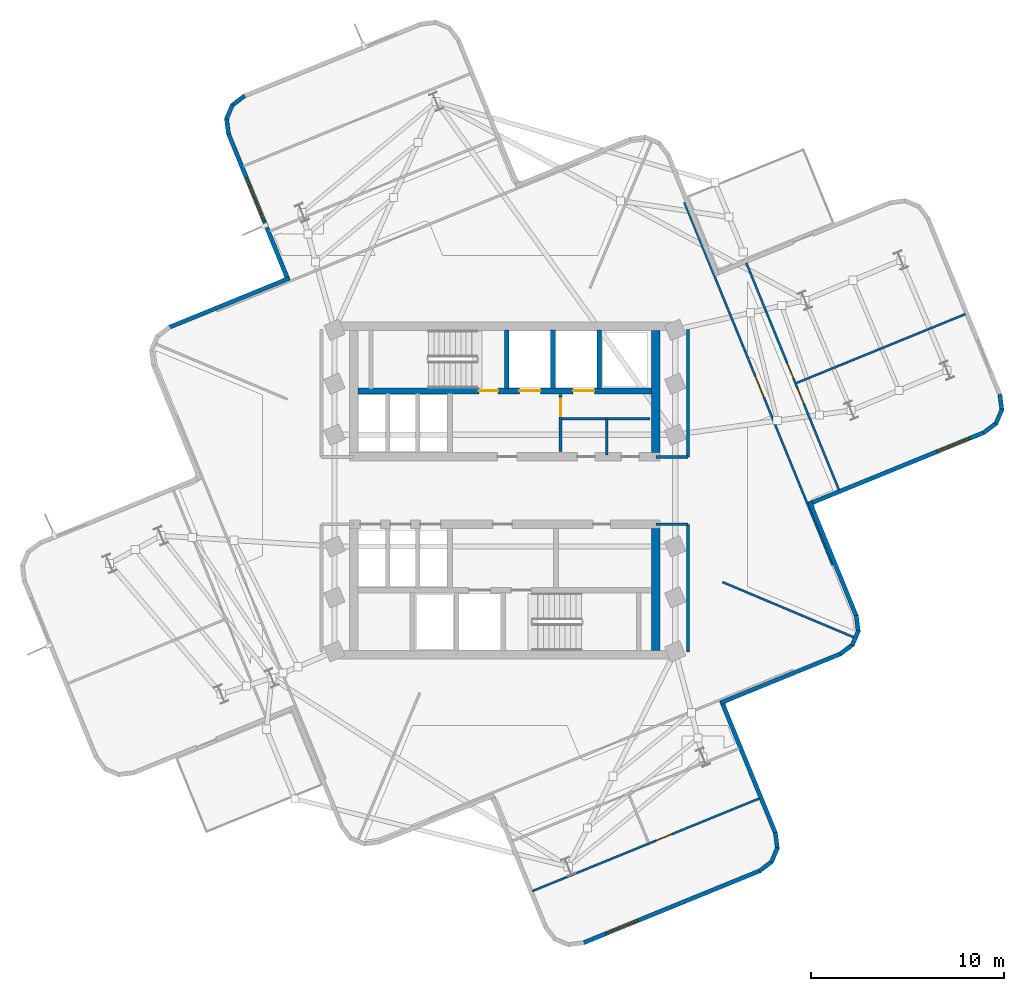
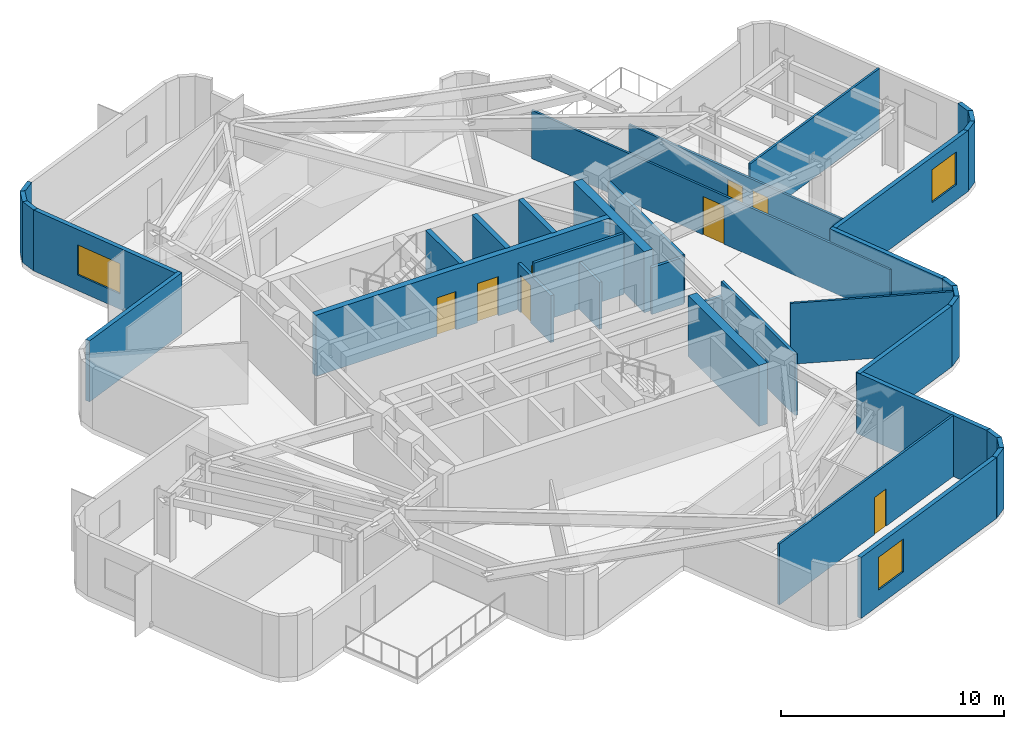
# One storey, part 4 of 8: 37 walls, 8 doors, 3 windows, 11 openings.
"""IFC4 building model written with IfcOpenShell, lengths in metres."""

from ifc_helpers import new_model, si_unit, direction, frame, frame_2d, origin, place, context, subcontext, project, spatial, rectangle, extrude, material, layer, layer_set, type_object, element, fill, save


model = new_model("IFC4")

# Units and contexts
model_context = context("Model", 3, precision=1e-05, world=origin(), true_north=direction((0.0, 1.0)))
body_context = subcontext(model_context, "Body", "Model", "MODEL_VIEW")
ifc_project = project(units=[si_unit("LENGTHUNIT", "METRE"), si_unit("AREAUNIT", "SQUARE_METRE"), si_unit("VOLUMEUNIT", "CUBIC_METRE"), si_unit("PLANEANGLEUNIT", "RADIAN"), si_unit("MASSUNIT", "GRAM", prefix="KILO")], contexts=[model_context])

# Site, building, storey
site_placement = place(None, origin())
site = spatial("IfcSite", under=ifc_project, at=site_placement, CompositionType="ELEMENT")
building_placement = place(site_placement, origin())
building = spatial("IfcBuilding", under=site, at=building_placement, Name="Solmarez Civic Tower", CompositionType="ELEMENT")
storey_placement = place(building_placement, frame((0.0, 0.0, 173.8798828125)))
storey = spatial("IfcBuildingStorey", under=building, at=storey_placement, Name="L46", CompositionType="ELEMENT", Elevation=173.8798828125)

# Walls
ifc_material_1 = material(Name="Concrete C50/60", Category="concrete")
ifc_layer_1 = layer(ifc_material_1, 0.449951171875)
ifc_layer_set_1 = layer_set([ifc_layer_1], Name="Concrete C50/60")
wall_type_1 = type_object("IfcWallType", Name="WALL-CORE-450", PredefinedType="SHEAR", material=ifc_layer_set_1)
for number, where, z_axis, x_axis, name in (
    (1, (7.844970703125, 8.31005859375, 0.0), (0.0, 0.0, 1.0), (0.0, -1.0, 0.0), "L46 Split-Core Structural Wall NCW-E-L46"),
    (2, (7.844970703125, -1.97509765625, 0.0), (0.0, 0.0, 1.0), (0.0, -1.0, 0.0), "L46 Split-Core Structural Wall SCW-E-L46"),
):
    element("IfcWall", number, at=place(storey_placement, frame(where, z_axis=z_axis, x_axis=x_axis)), inside=storey, type_object=wall_type_1, Name=name, PredefinedType="SHEAR", context=body_context, shape_type="SweptSolid", body=[
        extrude(rectangle(XDim=6.3349609375, YDim=0.449951171875, at=frame_2d((3.16748046875, 0.0))), origin(), (0.0, 0.0, 1.0), 3.340087890625),
    ])
ifc_material_2 = material(Name="Precast concrete C40/50", Category="concrete")
ifc_layer_2 = layer(ifc_material_2, 0.219970703125)
ifc_layer_set_2 = layer_set([ifc_layer_2], Name="Precast concrete C40/50")
wall_type_2 = type_object("IfcWallType", Name="WALL-EXT-220", PredefinedType="SOLIDWALL", material=ifc_layer_set_2)
wall_1_placement = place(storey_placement, frame((-17.4560546875, 8.472900390625, 0.0), z_axis=(0.0, 0.0, 1.0), x_axis=(0.925916493636, 0.377728271133, 0.0)))
element("IfcWall", 3, at=wall_1_placement, inside=storey, type_object=wall_type_2, Name="L46 Exterior Precast Wall 17", PredefinedType="SOLIDWALL", context=body_context, shape_type="SweptSolid", body=[
    extrude(rectangle(XDim=6.7587890625, YDim=0.219970703125, at=frame_2d((3.37939453125, 0.0))), origin(), (0.0, 0.0, 1.0), 3.340087890625),
])

# Wall, opening, window
wall_2_placement = place(storey_placement, frame((-11.24609375, 10.912109375, 0.0), z_axis=(0.0, 0.0, 1.0), x_axis=(-0.37779924707, 0.92588753578, 0.0)))
wall_2 = element("IfcWall", 4, at=wall_2_placement, inside=storey, type_object=wall_type_2, Name="L46 Exterior Precast Wall 20", PredefinedType="SOLIDWALL", context=body_context, shape_type="SweptSolid", body=[
    extrude(rectangle(XDim=8.258056640625, YDim=0.219970703125, at=frame_2d((4.12890625, 0.0))), origin(), (0.0, 0.0, 1.0), 3.340087890625),
])
opening_1_placement = place(wall_2_placement, frame((3.35009765625, 0.0, 0.85009765625)))
opening_1 = element("IfcOpeningElement", 5, at=opening_1_placement, cuts=wall_2, Name="Opening W-10", PredefinedType="OPENING", context=body_context, shape_type="SweptSolid", body=[
    extrude(rectangle(XDim=2.39990234375, YDim=1.64990234375, at=frame_2d((1.199951171875, 0.824951171875))), frame((0.0, 0.119873046875, 0.0), z_axis=(0.0, -1.0, 0.0), x_axis=(1.0, 0.0, 0.0)), (0.0, 0.0, 1.0), 0.239990234375),
])
ifc_material_3 = material(Name="Solar Control Bronze-Tinted Insulating Glass", Category="glass")
window_type_1 = type_object("IfcWindowType", Name="WIN-2400X1650", PartitioningType="SINGLE_PANEL", PredefinedType="WINDOW", material=ifc_material_3)
window_1_placement = place(opening_1_placement, origin())
window_1 = element("IfcWindow", 6, at=window_1_placement, inside=storey, type_object=window_type_1, Name="L46 Exterior Facade Window 20", OverallHeight=1.64990234375, OverallWidth=2.39990234375, PartitioningType="SINGLE_PANEL", PredefinedType="WINDOW", context=body_context, shape_type="SweptSolid", body=[
    extrude(rectangle(XDim=2.39990234375, YDim=1.64990234375, at=frame_2d((1.199951171875, 0.824951171875))), frame((0.0, 0.030029296875, 0.0), z_axis=(0.0, -1.0, 0.0), x_axis=(1.0, 0.0, 0.0)), (0.0, 0.0, 1.0), 0.06005859375),
])
fill(opening_1, window_1)

# Walls
wall_3_placement = place(storey_placement, frame((-14.35400390625, 18.510009765625, 0.0), z_axis=(0.0, 0.0, 1.0), x_axis=(-0.125798873345, 0.992055766308, 0.0)))
element("IfcWall", 7, at=wall_3_placement, inside=storey, type_object=wall_type_2, Name="L46 Exterior Precast Wall 21", PredefinedType="SOLIDWALL", context=body_context, shape_type="SweptSolid", body=[
    extrude(rectangle(XDim=0.83447265625, YDim=0.219970703125, at=frame_2d((0.417236328125, 0.0))), origin(), (0.0, 0.0, 1.0), 3.340087890625),
])
wall_4_placement = place(storey_placement, frame((-14.466064453125, 19.2900390625, 0.0), z_axis=(0.0, 0.0, 1.0), x_axis=(0.388336782412, 0.92151752204, 0.0)))
element("IfcWall", 8, at=wall_4_placement, inside=storey, type_object=wall_type_2, Name="L46 Exterior Precast Wall 22", PredefinedType="SOLIDWALL", context=body_context, shape_type="SweptSolid", body=[
    extrude(rectangle(XDim=0.819091796875, YDim=0.219970703125, at=frame_2d((0.40966796875, 0.0))), origin(), (0.0, 0.0, 1.0), 3.340087890625),
])
for number, where, z_axis, x_axis, name in (
    (9, (-14.177978515625, 20.007080078125, 0.0), (0.0, 0.0, 1.0), (0.797040931846, 0.603925287566, 0.0), "L46 Exterior Precast Wall 23"),
    (10, (25.7119140625, 5.0048828125, 0.0), (0.0, 0.0, 1.0), (0.124646916858, -0.992201162123, 0.0), "L46 Exterior Precast Wall 43"),
):
    element("IfcWall", number, at=place(storey_placement, frame(where, z_axis=z_axis, x_axis=x_axis)), inside=storey, type_object=wall_type_2, Name=name, PredefinedType="SOLIDWALL", context=body_context, shape_type="SweptSolid", body=[
        extrude(rectangle(XDim=0.83447265625, YDim=0.219970703125, at=frame_2d((0.417236328125, 0.0))), origin(), (0.0, 0.0, 1.0), 3.340087890625),
    ])
wall_5_placement = place(storey_placement, frame((25.822998046875, 4.22509765625, 0.0), z_axis=(0.0, 0.0, 1.0), x_axis=(-0.387804180062, -0.921741784844, 0.0)))
element("IfcWall", 11, at=wall_5_placement, inside=storey, type_object=wall_type_2, Name="L46 Exterior Precast Wall 44", PredefinedType="SOLIDWALL", context=body_context, shape_type="SweptSolid", body=[
    extrude(rectangle(XDim=0.8203125, YDim=0.219970703125, at=frame_2d((0.41015625, 0.0))), origin(), (0.0, 0.0, 1.0), 3.340087890625),
])
wall_6_placement = place(storey_placement, frame((25.534912109375, 3.507080078125, 0.0), z_axis=(0.0, 0.0, 1.0), x_axis=(-0.796793288666, -0.604251979837, 0.0)))
element("IfcWall", 12, at=wall_6_placement, inside=storey, type_object=wall_type_2, Name="L46 Exterior Precast Wall 45", PredefinedType="SOLIDWALL", context=body_context, shape_type="SweptSolid", body=[
    extrude(rectangle(XDim=0.834228515625, YDim=0.219970703125, at=frame_2d((0.4169921875, 0.0))), origin(), (0.0, 0.0, 1.0), 3.340087890625),
])

# Wall, opening, window
wall_7_placement = place(storey_placement, frame((24.9130859375, 3.027099609375, 0.0), z_axis=(0.0, 0.0, 1.0), x_axis=(-0.925892554472, -0.37778694733, 0.0)))
wall_7 = element("IfcWall", 13, at=wall_7_placement, inside=storey, type_object=wall_type_2, Name="L46 Exterior Precast Wall 46", PredefinedType="SOLIDWALL", context=body_context, shape_type="SweptSolid", body=[
    extrude(rectangle(XDim=9.857666015625, YDim=0.219970703125, at=frame_2d((4.9287109375, 0.0))), origin(), (0.0, 0.0, 1.0), 3.340087890625),
])
opening_2_placement = place(wall_7_placement, frame((0.85009765625, 0.0, 0.85009765625)))
opening_2 = element("IfcOpeningElement", 14, at=opening_2_placement, cuts=wall_7, Name="Opening W-08", PredefinedType="OPENING", context=body_context, shape_type="SweptSolid", body=[
    extrude(rectangle(XDim=1.800048828125, YDim=1.800048828125, at=frame_2d((0.89990234375, 0.89990234375))), frame((0.0, 0.119873046875, 0.0), z_axis=(0.0, -1.0, 0.0), x_axis=(1.0, 0.0, 0.0)), (0.0, 0.0, 1.0), 0.239990234375),
])
window_type_2 = type_object("IfcWindowType", Name="WIN-1800X1800", PartitioningType="SINGLE_PANEL", PredefinedType="WINDOW", material=ifc_material_3)
window_2_placement = place(opening_2_placement, origin())
window_2 = element("IfcWindow", 15, at=window_2_placement, inside=storey, type_object=window_type_2, Name="L46 Exterior Facade Window 46", OverallHeight=1.800048828125, OverallWidth=1.800048828125, PartitioningType="SINGLE_PANEL", PredefinedType="WINDOW", context=body_context, shape_type="SweptSolid", body=[
    extrude(rectangle(XDim=1.800048828125, YDim=1.800048828125, at=frame_2d((0.89990234375, 0.89990234375))), frame((0.0, 0.030029296875, 0.0), z_axis=(0.0, -1.0, 0.0), x_axis=(1.0, 0.0, 0.0)), (0.0, 0.0, 1.0), 0.06005859375),
])
fill(opening_2, window_2)

# Walls
wall_8_placement = place(storey_placement, frame((15.833984375, -0.5830078125, 0.0), z_axis=(0.0, 0.0, 1.0), x_axis=(0.377776256629, -0.925896916469, 0.0)))
element("IfcWall", 16, at=wall_8_placement, inside=storey, type_object=wall_type_2, Name="L46 Exterior Precast Wall 49", PredefinedType="SOLIDWALL", context=body_context, shape_type="SweptSolid", body=[
    extrude(rectangle(XDim=6.43798828125, YDim=0.219970703125, at=frame_2d((3.218994140625, 0.0))), origin(), (0.0, 0.0, 1.0), 3.340087890625),
])
wall_9_placement = place(storey_placement, frame((18.25390625, -6.49609375, 0.0), z_axis=(0.0, 0.0, 1.0), x_axis=(0.124646916858, -0.992201162123, 0.0)))
element("IfcWall", 17, at=wall_9_placement, inside=storey, type_object=wall_type_2, Name="L46 Exterior Precast Wall 50", PredefinedType="SOLIDWALL", context=body_context, shape_type="SweptSolid", body=[
    extrude(rectangle(XDim=0.83447265625, YDim=0.219970703125, at=frame_2d((0.417236328125, 0.0))), origin(), (0.0, 0.0, 1.0), 3.340087890625),
])
wall_10_placement = place(storey_placement, frame((18.364990234375, -7.27587890625, 0.0), z_axis=(0.0, 0.0, 1.0), x_axis=(-0.387977068381, -0.9216690265, 0.0)))
element("IfcWall", 18, at=wall_10_placement, inside=storey, type_object=wall_type_2, Name="L46 Exterior Precast Wall 51", PredefinedType="SOLIDWALL", context=body_context, shape_type="SweptSolid", body=[
    extrude(rectangle(XDim=0.8193359375, YDim=0.219970703125, at=frame_2d((0.40966796875, 0.0))), origin(), (0.0, 0.0, 1.0), 3.340087890625),
])
wall_11_placement = place(storey_placement, frame((18.076904296875, -7.992919921875, 0.0), z_axis=(0.0, 0.0, 1.0), x_axis=(-0.796365329878, -0.604815890473, 0.0)))
element("IfcWall", 19, at=wall_11_placement, inside=storey, type_object=wall_type_2, Name="L46 Exterior Precast Wall 52", PredefinedType="SOLIDWALL", context=body_context, shape_type="SweptSolid", body=[
    extrude(rectangle(XDim=0.83349609375, YDim=0.219970703125, at=frame_2d((0.416748046875, 0.0))), origin(), (0.0, 0.0, 1.0), 3.340087890625),
])
wall_12_placement = place(storey_placement, frame((17.4560546875, -8.472900390625, 0.0), z_axis=(0.0, 0.0, 1.0), x_axis=(-0.925916493636, -0.377728271133, 0.0)))
element("IfcWall", 20, at=wall_12_placement, inside=storey, type_object=wall_type_2, Name="L46 Exterior Precast Wall 53", PredefinedType="SOLIDWALL", context=body_context, shape_type="SweptSolid", body=[
    extrude(rectangle(XDim=6.7587890625, YDim=0.219970703125, at=frame_2d((3.37939453125, 0.0))), origin(), (0.0, 0.0, 1.0), 3.340087890625),
])
wall_13_placement = place(storey_placement, frame((11.24609375, -10.912109375, 0.0), z_axis=(0.0, 0.0, 1.0), x_axis=(0.377850036169, -0.925866810166, 0.0)))
element("IfcWall", 21, at=wall_13_placement, inside=storey, type_object=wall_type_2, Name="L46 Exterior Precast Wall 56", PredefinedType="SOLIDWALL", context=body_context, shape_type="SweptSolid", body=[
    extrude(rectangle(XDim=7.457763671875, YDim=0.219970703125, at=frame_2d((3.72900390625, 0.0))), origin(), (0.0, 0.0, 1.0), 3.340087890625),
])
wall_14_placement = place(storey_placement, frame((14.052001953125, -17.76904296875, 0.0), z_axis=(0.0, 0.0, 1.0), x_axis=(0.124646916858, -0.992201162123, 0.0)))
element("IfcWall", 22, at=wall_14_placement, inside=storey, type_object=wall_type_2, Name="L46 Exterior Precast Wall 57", PredefinedType="SOLIDWALL", context=body_context, shape_type="SweptSolid", body=[
    extrude(rectangle(XDim=0.83447265625, YDim=0.219970703125, at=frame_2d((0.417236328125, 0.0))), origin(), (0.0, 0.0, 1.0), 3.340087890625),
])
wall_15_placement = place(storey_placement, frame((14.1630859375, -18.549072265625, 0.0), z_axis=(0.0, 0.0, 1.0), x_axis=(-0.388336782412, -0.92151752204, 0.0)))
element("IfcWall", 23, at=wall_15_placement, inside=storey, type_object=wall_type_2, Name="L46 Exterior Precast Wall 58", PredefinedType="SOLIDWALL", context=body_context, shape_type="SweptSolid", body=[
    extrude(rectangle(XDim=0.819091796875, YDim=0.219970703125, at=frame_2d((0.40966796875, 0.0))), origin(), (0.0, 0.0, 1.0), 3.340087890625),
])
wall_16_placement = place(storey_placement, frame((13.875, -19.26611328125, 0.0), z_axis=(0.0, 0.0, 1.0), x_axis=(-0.796613459657, -0.604489037034, 0.0)))
element("IfcWall", 24, at=wall_16_placement, inside=storey, type_object=wall_type_2, Name="L46 Exterior Precast Wall 59", PredefinedType="SOLIDWALL", context=body_context, shape_type="SweptSolid", body=[
    extrude(rectangle(XDim=0.83349609375, YDim=0.219970703125, at=frame_2d((0.416748046875, 0.0))), origin(), (0.0, 0.0, 1.0), 3.340087890625),
])

# Wall, opening, window
wall_17_placement = place(storey_placement, frame((13.25390625, -19.74609375, 0.0), z_axis=(0.0, 0.0, 1.0), x_axis=(-0.925876400685, -0.377826535137, 0.0)))
wall_17 = element("IfcWall", 25, at=wall_17_placement, inside=storey, type_object=wall_type_2, Name="L46 Exterior Precast Wall 60", PredefinedType="SOLIDWALL", context=body_context, shape_type="SweptSolid", body=[
    extrude(rectangle(XDim=9.940673828125, YDim=0.219970703125, at=frame_2d((4.97021484375, 0.0))), origin(), (0.0, 0.0, 1.0), 3.340087890625),
])
opening_3_placement = place(wall_17_placement, frame((6.85400390625, 0.0, 0.85009765625)))
opening_3 = element("IfcOpeningElement", 26, at=opening_3_placement, cuts=wall_17, Name="Opening W-08", PredefinedType="OPENING", context=body_context, shape_type="SweptSolid", body=[
    extrude(rectangle(XDim=1.800048828125, YDim=1.800048828125, at=frame_2d((0.89990234375, 0.89990234375))), frame((0.0, 0.119873046875, 0.0), z_axis=(0.0, -1.0, 0.0), x_axis=(1.0, 0.0, 0.0)), (0.0, 0.0, 1.0), 0.239990234375),
])
window_3_placement = place(opening_3_placement, origin())
window_3 = element("IfcWindow", 27, at=window_3_placement, inside=storey, type_object=window_type_2, Name="L46 Exterior Facade Window 60", OverallHeight=1.800048828125, OverallWidth=1.800048828125, PartitioningType="SINGLE_PANEL", PredefinedType="WINDOW", context=body_context, shape_type="SweptSolid", body=[
    extrude(rectangle(XDim=1.800048828125, YDim=1.800048828125, at=frame_2d((0.89990234375, 0.89990234375))), frame((0.0, 0.030029296875, 0.0), z_axis=(0.0, -1.0, 0.0), x_axis=(1.0, 0.0, 0.0)), (0.0, 0.0, 1.0), 0.06005859375),
])
fill(opening_3, window_3)

# Walls
ifc_material_4 = material(Name="Gypsum Board Acoustic Steel-Stud Partition", Category="steel")
ifc_layer_3 = layer(ifc_material_4, 0.14990234375)
ifc_layer_set_3 = layer_set([ifc_layer_3], Name="Gypsum Board Acoustic Steel-Stud Partition")
wall_type_3 = type_object("IfcWallType", Name="WALL-INT-FIRE-150", PredefinedType="PARTITIONING", material=ifc_layer_set_3)
wall_18_placement = place(storey_placement, frame((9.52001953125, 1.75, 0.0), z_axis=(0.0, 0.0, 1.0), x_axis=(0.0, 1.0, 0.0)))
element("IfcWall", 28, at=wall_18_placement, inside=storey, type_object=wall_type_3, Name="L46 Interior Partition CHW-L46-EN1", PredefinedType="PARTITIONING", context=body_context, shape_type="SweptSolid", body=[
    extrude(rectangle(XDim=6.6298828125, YDim=0.14990234375, at=frame_2d((3.31494140625, 0.0))), origin(), (0.0, 0.0, 1.0), 2.64404296875),
])
wall_19_placement = place(storey_placement, frame((7.85009765625, 1.75, 0.0), z_axis=(0.0, 0.0, 1.0), x_axis=(1.0, 0.0, 0.0)))
element("IfcWall", 29, at=wall_19_placement, inside=storey, type_object=wall_type_3, Name="L46 Interior Partition CHW-L46-EN3", PredefinedType="PARTITIONING", context=body_context, shape_type="SweptSolid", body=[
    extrude(rectangle(XDim=1.669921875, YDim=0.14990234375, at=frame_2d((0.8349609375, 0.0))), origin(), (0.0, 0.0, 1.0), 2.570068359375),
])
wall_20_placement = place(storey_placement, frame((9.52001953125, -8.3798828125, 0.0), z_axis=(0.0, 0.0, 1.0), x_axis=(0.0, 1.0, 0.0)))
element("IfcWall", 30, at=wall_20_placement, inside=storey, type_object=wall_type_3, Name="L46 Interior Partition CHW-L46-ES1", PredefinedType="PARTITIONING", context=body_context, shape_type="SweptSolid", body=[
    extrude(rectangle(XDim=6.6298828125, YDim=0.14990234375, at=frame_2d((3.31494140625, 0.0))), origin(), (0.0, 0.0, 1.0), 3.340087890625),
])
wall_21_placement = place(storey_placement, frame((7.85009765625, -1.75, 0.0), z_axis=(0.0, 0.0, 1.0), x_axis=(1.0, 0.0, 0.0)))
element("IfcWall", 31, at=wall_21_placement, inside=storey, type_object=wall_type_3, Name="L46 Interior Partition CHW-L46-ES3", PredefinedType="PARTITIONING", context=body_context, shape_type="SweptSolid", body=[
    extrude(rectangle(XDim=1.669921875, YDim=0.14990234375, at=frame_2d((0.8349609375, 0.0))), origin(), (0.0, 0.0, 1.0), 2.570068359375),
])
ifc_layer_4 = layer(ifc_material_4, 0.110107421875)
ifc_layer_set_4 = layer_set([ifc_layer_4], Name="Gypsum Board Acoustic Steel-Stud Partition")
wall_type_4 = type_object("IfcWallType", Name="WALL-INT-PART-110", PredefinedType="PARTITIONING", material=ifc_layer_set_4)
wall_22_placement = place(storey_placement, frame((11.300048828125, -4.75, 0.0), z_axis=(0.0, 0.0, 1.0), x_axis=(0.92186077199, -0.387521247245, 0.0)))
element("IfcWall", 32, at=wall_22_placement, inside=storey, type_object=wall_type_4, Name="L46 Interior Partition PT-L46-QDIV-4", PredefinedType="PARTITIONING", context=body_context, shape_type="SweptSolid", body=[
    extrude(rectangle(XDim=7.41650390625, YDim=0.110107421875, at=frame_2d((3.708251953125, 0.0))), origin(), (0.0, 0.0, 1.0), 3.340087890625),
])

# Wall, opening, door
wall_23_placement = place(storey_placement, frame((9.322998046875, 14.972900390625, 0.0), z_axis=(0.0, 0.0, 1.0), x_axis=(0.377891753295, -0.92584978414, 0.0)))
wall_23 = element("IfcWall", 33, at=wall_23_placement, inside=storey, type_object=wall_type_4, Name="L46 Interior Partition PT-L46-E-ENT", PredefinedType="PARTITIONING", context=body_context, shape_type="SweptSolid", body=[
    extrude(rectangle(XDim=20.360595703125, YDim=0.110107421875, at=frame_2d((10.18017578125, 0.0))), origin(), (0.0, 0.0, 1.0), 2.64404296875),
])
opening_4_placement = place(wall_23_placement, frame((9.740966796875, 0.0, 0.0)))
opening_4 = element("IfcOpeningElement", 34, at=opening_4_placement, cuts=wall_23, Name="Opening D-11", PredefinedType="OPENING", context=body_context, shape_type="SweptSolid", body=[
    extrude(rectangle(XDim=1.199951171875, YDim=2.10009765625, at=frame_2d((0.60009765625, 1.050048828125))), frame((0.0, 0.06494140625, 0.0), z_axis=(0.0, -1.0, 0.0), x_axis=(1.0, 0.0, 0.0)), (0.0, 0.0, 1.0), 0.130126953125),
])
ifc_material_5 = material(Name="Glazed-Vision Acoustic Chamber Door", Category="wood")
door_type_1 = type_object("IfcDoorType", Name="DOOR-INT-1200", OperationType="NOTDEFINED", PredefinedType="DOOR", material=ifc_material_5)
door_1_placement = place(opening_4_placement, origin())
door_1 = element("IfcDoor", 35, at=door_1_placement, inside=storey, type_object=door_type_1, Name="L46 Tribunal Chamber Wellness Fitness Room First East Door", OperationType="SINGLE_SWING_LEFT", OverallHeight=2.10009765625, OverallWidth=1.199951171875, PredefinedType="DOOR", context=body_context, shape_type="SweptSolid", body=[
    extrude(rectangle(XDim=1.199951171875, YDim=2.10009765625, at=frame_2d((0.60009765625, 1.050048828125))), frame((0.0, 0.02490234375, 0.0), z_axis=(0.0, -1.0, 0.0), x_axis=(1.0, 0.0, 0.0)), (0.0, 0.0, 1.0), 0.050048828125),
])
fill(opening_4, door_1)

# Wall
wall_24_placement = place(storey_placement, frame((15.15087890625, 5.589111328125, 0.0), z_axis=(0.0, 0.0, 1.0), x_axis=(0.925886825242, 0.37780098841, 0.0)))
element("IfcWall", 36, at=wall_24_placement, inside=storey, type_object=wall_type_4, Name="L46 Interior Partition PT-L46-E-TSP", PredefinedType="PARTITIONING", context=body_context, shape_type="SweptSolid", body=[
    extrude(rectangle(XDim=9.475341796875, YDim=0.110107421875, at=frame_2d((4.73779296875, 0.0))), origin(), (0.0, 0.0, 1.0), 3.340087890625),
])

# Wall, openings, doors
wall_25_placement = place(storey_placement, frame((17.35693359375, 0.02490234375, 0.0), z_axis=(0.0, 0.0, 1.0), x_axis=(-0.37779315338, 0.925890022227, 0.0)))
wall_25 = element("IfcWall", 37, at=wall_25_placement, inside=storey, type_object=wall_type_4, Name="L46 Interior Partition PT-L46-E-SCUT", PredefinedType="PARTITIONING", context=body_context, shape_type="SweptSolid", body=[
    extrude(rectangle(XDim=12.75, YDim=0.110107421875, at=frame_2d((6.375, 0.0))), origin(), (0.0, 0.0, 1.0), 2.64404296875),
])
opening_5_placement = place(wall_25_placement, frame((4.8349609375, 0.0, 0.0)))
opening_5 = element("IfcOpeningElement", 38, at=opening_5_placement, cuts=wall_25, Name="Opening D-14", PredefinedType="OPENING", context=body_context, shape_type="SweptSolid", body=[
    extrude(rectangle(XDim=0.860107421875, YDim=2.0400390625, at=frame_2d((0.43017578125, 1.02001953125))), frame((0.0, 0.06494140625, 0.0), z_axis=(0.0, -1.0, 0.0), x_axis=(1.0, 0.0, 0.0)), (0.0, 0.0, 1.0), 0.130126953125),
])
opening_6_placement = place(wall_25_placement, frame((6.27490234375, 0.0, 0.0)))
opening_6 = element("IfcOpeningElement", 39, at=opening_6_placement, cuts=wall_25, Name="Opening D-14", PredefinedType="OPENING", context=body_context, shape_type="SweptSolid", body=[
    extrude(rectangle(XDim=0.860107421875, YDim=2.0400390625, at=frame_2d((0.43017578125, 1.02001953125))), frame((0.0, 0.06494140625, 0.0), z_axis=(0.0, -1.0, 0.0), x_axis=(1.0, 0.0, 0.0)), (0.0, 0.0, 1.0), 0.130126953125),
])
ifc_material_6 = material(Name="Timber Storage and Pantry Door", Category="wood")
door_type_2 = type_object("IfcDoorType", Name="DOOR-INT-850", OperationType="NOTDEFINED", PredefinedType="DOOR", material=ifc_material_6)
door_2_placement = place(opening_5_placement, origin())
door_2 = element("IfcDoor", 40, at=door_2_placement, inside=storey, type_object=door_type_2, Name="L46 Public Reading Room Third East Door", OperationType="SINGLE_SWING_RIGHT", OverallHeight=2.0400390625, OverallWidth=0.860107421875, PredefinedType="DOOR", context=body_context, shape_type="SweptSolid", body=[
    extrude(rectangle(XDim=0.860107421875, YDim=2.0400390625, at=frame_2d((0.43017578125, 1.02001953125))), frame((0.0, 0.02490234375, 0.0), z_axis=(0.0, -1.0, 0.0), x_axis=(1.0, 0.0, 0.0)), (0.0, 0.0, 1.0), 0.050048828125),
])
fill(opening_5, door_2)
door_3_placement = place(opening_6_placement, origin())
door_3 = element("IfcDoor", 41, at=door_3_placement, inside=storey, type_object=door_type_2, Name="L46 Citizen Legal Clinic Second East Door", OperationType="SINGLE_SWING_LEFT", OverallHeight=2.0400390625, OverallWidth=0.860107421875, PredefinedType="DOOR", context=body_context, shape_type="SweptSolid", body=[
    extrude(rectangle(XDim=0.860107421875, YDim=2.0400390625, at=frame_2d((0.43017578125, 1.02001953125))), frame((0.0, 0.02490234375, 0.0), z_axis=(0.0, -1.0, 0.0), x_axis=(1.0, 0.0, 0.0)), (0.0, 0.0, 1.0), 0.050048828125),
])
fill(opening_6, door_3)

# Wall, opening, door
wall_26_placement = place(storey_placement, frame((13.236083984375, -15.98388671875, 0.0), z_axis=(0.0, 0.0, 1.0), x_axis=(-0.92585653016, -0.377875224856, 0.0)))
wall_26 = element("IfcWall", 42, at=wall_26_placement, inside=storey, type_object=wall_type_4, Name="L46 Interior Partition PT-L46-S-S2", PredefinedType="PARTITIONING", context=body_context, shape_type="SweptSolid", body=[
    extrude(rectangle(XDim=12.75048828125, YDim=0.110107421875, at=frame_2d((6.375244140625, 0.0))), origin(), (0.0, 0.0, 1.0), 3.340087890625),
])
opening_7_placement = place(wall_26_placement, frame((4.93994140625, 0.0, 0.0)))
opening_7 = element("IfcOpeningElement", 43, at=opening_7_placement, cuts=wall_26, Name="Opening D-14", PredefinedType="OPENING", context=body_context, shape_type="SweptSolid", body=[
    extrude(rectangle(XDim=0.860107421875, YDim=2.0400390625, at=frame_2d((0.43017578125, 1.02001953125))), frame((0.0, 0.06494140625, 0.0), z_axis=(0.0, -1.0, 0.0), x_axis=(1.0, 0.0, 0.0)), (0.0, 0.0, 1.0), 0.130126953125),
])
door_4_placement = place(opening_7_placement, origin())
door_4 = element("IfcDoor", 44, at=door_4_placement, inside=storey, type_object=door_type_2, Name="L46 Public Reading Room Fourth South Door", OperationType="SINGLE_SWING_LEFT", OverallHeight=2.0400390625, OverallWidth=0.860107421875, PredefinedType="DOOR", context=body_context, shape_type="SweptSolid", body=[
    extrude(rectangle(XDim=0.860107421875, YDim=2.0400390625, at=frame_2d((0.43017578125, 1.02001953125))), frame((0.0, 0.02490234375, 0.0), z_axis=(0.0, -1.0, 0.0), x_axis=(1.0, 0.0, 0.0)), (0.0, 0.0, 1.0), 0.050048828125),
])
fill(opening_7, door_4)

ifc_layer_5 = layer(ifc_material_4, 0.159912109375)
ifc_layer_set_5 = layer_set([ifc_layer_5], Name="Gypsum Board Acoustic Steel-Stud Partition")
wall_type_5 = type_object("IfcWallType", Name="WALL-INT-SHAFT-160", PredefinedType="PARTITIONING", material=ifc_layer_set_5)
wall_27_placement = place(storey_placement, frame((2.89990234375, 2.0400390625, 0.0), z_axis=(0.0, 0.0, 1.0), x_axis=(0.0, 1.0, 0.0)))
wall_27 = element("IfcWall", 45, at=wall_27_placement, inside=storey, type_object=wall_type_5, Name="L46 Interior Partition SHW-NL2-L46", PredefinedType="PARTITIONING", context=body_context, shape_type="SweptSolid", body=[
    extrude(rectangle(XDim=2.93994140625, YDim=0.159912109375, at=frame_2d((1.469970703125, 0.0))), origin(), (0.0, 0.0, 1.0), 2.570068359375),
])
opening_8_placement = place(wall_27_placement, frame((1.820068359375, 0.0, 0.0)))
opening_8 = element("IfcOpeningElement", 46, at=opening_8_placement, cuts=wall_27, Name="Opening D-09", PredefinedType="OPENING", context=body_context, shape_type="SweptSolid", body=[
    extrude(rectangle(XDim=0.89990234375, YDim=2.06005859375, at=frame_2d((0.449951171875, 1.030029296875))), frame((0.0, 0.08984375, 0.0), z_axis=(0.0, -1.0, 0.0), x_axis=(1.0, 0.0, 0.0)), (0.0, 0.0, 1.0), 0.179931640625),
])
ifc_material_7 = material(Name="Fire-Rated Service Core Door", Category="wood")
door_type_3 = type_object("IfcDoorType", Name="DOOR-FD60-900", OperationType="NOTDEFINED", PredefinedType="DOOR", material=ifc_material_7)
door_5_placement = place(opening_8_placement, origin())
door_5 = element("IfcDoor", 47, at=door_5_placement, inside=storey, type_object=door_type_3, Name="L46 Service Lift Lobby Door", OperationType="SINGLE_SWING_LEFT", OverallHeight=2.06005859375, OverallWidth=0.89990234375, PredefinedType="DOOR", context=body_context, shape_type="SweptSolid", body=[
    extrude(rectangle(XDim=0.89990234375, YDim=2.06005859375, at=frame_2d((0.449951171875, 1.030029296875))), frame((0.0, 0.02490234375, 0.0), z_axis=(0.0, -1.0, 0.0), x_axis=(1.0, 0.0, 0.0)), (0.0, 0.0, 1.0), 0.050048828125),
])
fill(opening_8, door_5)

# Walls
ifc_layer_6 = layer(ifc_material_4, 0.137939453125)
ifc_layer_set_6 = layer_set([ifc_layer_6], Name="Gypsum Board Acoustic Steel-Stud Partition")
wall_type_6 = type_object("IfcWallType", Name="WALL-INT-WET-140", PredefinedType="PARTITIONING", material=ifc_layer_set_6)
wall_28_placement = place(storey_placement, frame((2.89990234375, 3.739990234375, 0.0), z_axis=(0.0, 0.0, 1.0), x_axis=(1.0, 0.0, 0.0)))
element("IfcWall", 48, at=wall_28_placement, inside=storey, type_object=wall_type_6, Name="L46 Interior Partition SHW-SVH-L46", PredefinedType="PARTITIONING", context=body_context, shape_type="SweptSolid", body=[
    extrude(rectangle(XDim=4.650146484375, YDim=0.137939453125, at=frame_2d((2.3251953125, 0.0))), origin(), (0.0, 0.0, 1.0), 3.340087890625),
])
wall_29_placement = place(storey_placement, frame((5.300048828125, 1.85009765625, 0.0), z_axis=(0.0, 0.0, 1.0), x_axis=(0.0, 1.0, 0.0)))
element("IfcWall", 49, at=wall_29_placement, inside=storey, type_object=wall_type_6, Name="L46 Interior Partition PT-NCSV-L46", PredefinedType="PARTITIONING", context=body_context, shape_type="SweptSolid", body=[
    extrude(rectangle(XDim=1.889892578125, YDim=0.137939453125, at=frame_2d((0.94482421875, 0.0))), origin(), (0.0, 0.0, 1.0), 2.570068359375),
])

# Wall, openings, doors
ifc_layer_7 = layer(ifc_material_1, 0.300048828125)
ifc_layer_set_7 = layer_set([ifc_layer_7], Name="Concrete C50/60")
wall_type_7 = type_object("IfcWallType", Name="WALL-STR-300", PredefinedType="SOLIDWALL", material=ifc_layer_set_7)
wall_30_placement = place(storey_placement, frame((7.6201171875, 5.179931640625, 0.0), z_axis=(0.0, 0.0, 1.0), x_axis=(-1.0, 0.0, 0.0)))
wall_30 = element("IfcWall", 50, at=wall_30_placement, inside=storey, type_object=wall_type_7, Name="L46 Split-Core Structural Wall NCW-M-L46", PredefinedType="SOLIDWALL", context=body_context, shape_type="SweptSolid", body=[
    extrude(rectangle(XDim=15.240234375, YDim=0.300048828125, at=frame_2d((7.6201171875, 0.0))), origin(), (0.0, 0.0, 1.0), 3.340087890625),
])
opening_9_placement = place(wall_30_placement, frame((5.77001953125, 0.0, 0.0)))
opening_9 = element("IfcOpeningElement", 51, at=opening_9_placement, cuts=wall_30, Name="Opening LD-02", PredefinedType="OPENING", context=body_context, shape_type="SweptSolid", body=[
    extrude(rectangle(XDim=1.10009765625, YDim=2.14990234375, at=frame_2d((0.550048828125, 1.074951171875))), frame((0.0, 0.159912109375, 0.0), z_axis=(0.0, -1.0, 0.0), x_axis=(1.0, 0.0, 0.0)), (0.0, 0.0, 1.0), 0.320068359375),
])
opening_10_placement = place(wall_30_placement, frame((2.969970703125, 0.0, 0.0)))
opening_10 = element("IfcOpeningElement", 52, at=opening_10_placement, cuts=wall_30, Name="Opening LD-03", PredefinedType="OPENING", context=body_context, shape_type="SweptSolid", body=[
    extrude(rectangle(XDim=1.10009765625, YDim=2.14990234375, at=frame_2d((0.550048828125, 1.074951171875))), frame((0.0, 0.159912109375, 0.0), z_axis=(0.0, -1.0, 0.0), x_axis=(1.0, 0.0, 0.0)), (0.0, 0.0, 1.0), 0.320068359375),
])
opening_11_placement = place(wall_30_placement, frame((7.969970703125, 0.0, 0.0)))
opening_11 = element("IfcOpeningElement", 53, at=opening_11_placement, cuts=wall_30, Name="Opening D-05", PredefinedType="OPENING", context=body_context, shape_type="SweptSolid", body=[
    extrude(rectangle(XDim=1.0, YDim=2.10009765625, at=frame_2d((0.5, 1.050048828125))), frame((0.0, 0.159912109375, 0.0), z_axis=(0.0, -1.0, 0.0), x_axis=(1.0, 0.0, 0.0)), (0.0, 0.0, 1.0), 0.320068359375),
])
ifc_material_8 = material(Name="Fire-Rated Stairwell Exit Door", Category="wood")
door_type_4 = type_object("IfcDoorType", Name="DOOR-FD90-1000", OperationType="NOTDEFINED", PredefinedType="DOOR", material=ifc_material_8)
door_6_placement = place(opening_11_placement, origin())
door_6 = element("IfcDoor", 54, at=door_6_placement, inside=storey, type_object=door_type_4, Name="L46 North Exit Stair Door ST-1", OperationType="SINGLE_SWING_LEFT", OverallHeight=2.10009765625, OverallWidth=1.0, PredefinedType="DOOR", context=body_context, shape_type="SweptSolid", body=[
    extrude(rectangle(XDim=1.0, YDim=2.10009765625, at=frame_2d((0.5, 1.050048828125))), frame((0.0, 0.02490234375, 0.0), z_axis=(0.0, -1.0, 0.0), x_axis=(1.0, 0.0, 0.0)), (0.0, 0.0, 1.0), 0.050048828125),
])
fill(opening_11, door_6)
ifc_material_9 = material(Name="Stainless Firefighting Lift Landing Sliding Door", Category="aluminium")
door_type_5 = type_object("IfcDoorType", Name="DOOR-LD-FF-1100", OperationType="DOUBLE_DOOR_SLIDING", PredefinedType="DOOR", material=ifc_material_9)
door_7_placement = place(opening_9_placement, origin())
door_7 = element("IfcDoor", 55, at=door_7_placement, inside=storey, type_object=door_type_5, Name="L46 Firefighting Lift Landing Door FFL-1", OperationType="DOUBLE_DOOR_SLIDING", OverallHeight=2.14990234375, OverallWidth=1.10009765625, PredefinedType="DOOR", context=body_context, shape_type="SweptSolid", body=[
    extrude(rectangle(XDim=1.10009765625, YDim=2.14990234375, at=frame_2d((0.550048828125, 1.074951171875))), frame((0.0, 0.02490234375, 0.0), z_axis=(0.0, -1.0, 0.0), x_axis=(1.0, 0.0, 0.0)), (0.0, 0.0, 1.0), 0.050048828125),
])
fill(opening_9, door_7)
ifc_material_10 = material(Name="Stainless Stretcher Lift Landing Sliding Door", Category="aluminium")
door_type_6 = type_object("IfcDoorType", Name="DOOR-LD-SV-1100", OperationType="DOUBLE_DOOR_SLIDING", PredefinedType="DOOR", material=ifc_material_10)
door_8_placement = place(opening_10_placement, origin())
door_8 = element("IfcDoor", 56, at=door_8_placement, inside=storey, type_object=door_type_6, Name="L46 Service Stretcher Lift Landing Door SVL-1", OperationType="DOUBLE_DOOR_SLIDING", OverallHeight=2.14990234375, OverallWidth=1.10009765625, PredefinedType="DOOR", context=body_context, shape_type="SweptSolid", body=[
    extrude(rectangle(XDim=1.10009765625, YDim=2.14990234375, at=frame_2d((0.550048828125, 1.074951171875))), frame((0.0, 0.02490234375, 0.0), z_axis=(0.0, -1.0, 0.0), x_axis=(1.0, 0.0, 0.0)), (0.0, 0.0, 1.0), 0.050048828125),
])
fill(opening_10, door_8)

# Walls
for number, where, z_axis, x_axis, name in (
    (57, (0.10009765625, 5.300048828125, 0.0), (0.0, 0.0, 1.0), (0.0, 1.0, 0.0), "L46 Split-Core Structural Wall SHW-N1-L46"),
    (58, (2.5, 5.300048828125, 0.0), (0.0, 0.0, 1.0), (0.0, 1.0, 0.0), "L46 Split-Core Structural Wall SHW-N2-L46"),
    (59, (4.89990234375, 5.300048828125, 0.0), (0.0, 0.0, 1.0), (0.0, 1.0, 0.0), "L46 Split-Core Structural Wall SHW-N3-L46"),
):
    element("IfcWall", number, at=place(storey_placement, frame(where, z_axis=z_axis, x_axis=x_axis)), inside=storey, type_object=wall_type_7, Name=name, PredefinedType="SOLIDWALL", context=body_context, shape_type="SweptSolid", body=[
        extrude(rectangle(XDim=3.0400390625, YDim=0.25, at=frame_2d((1.52001953125, 0.0))), origin(), (0.0, 0.0, 1.0), 3.340087890625),
    ])

save(model, "model.ifc")
